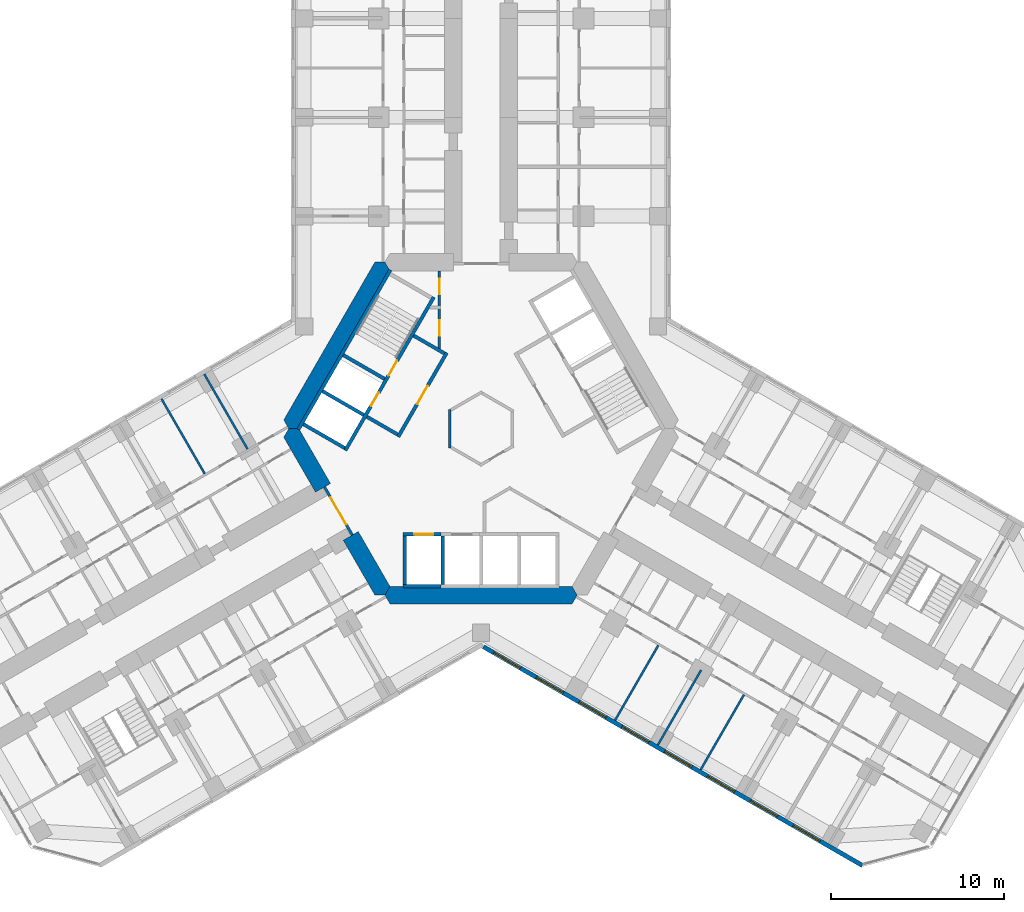
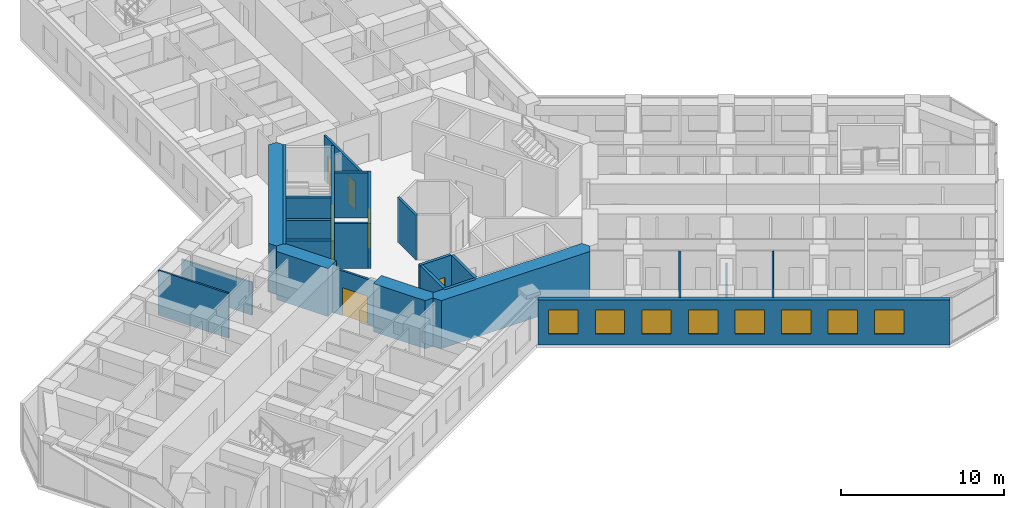
# One storey, part 13 of 21: 25 walls, 8 windows, 7 doors, 15 openings.
"""IFC4 building model written with IfcOpenShell, lengths in metres."""

from ifc_helpers import new_model, si_unit, direction, frame, frame_2d, origin, place, context, subcontext, project, spatial, polyline, rectangle, outline, extrude, material, layer, layer_set, type_object, element, fill, save


model = new_model("IFC4")

# Units and contexts
model_context = context("Model", 3, precision=1e-05, world=origin(), true_north=direction((0.0, 1.0)))
body_context = subcontext(model_context, "Body", "Model", "MODEL_VIEW")
ifc_project = project(units=[si_unit("LENGTHUNIT", "METRE"), si_unit("AREAUNIT", "SQUARE_METRE"), si_unit("VOLUMEUNIT", "CUBIC_METRE"), si_unit("PLANEANGLEUNIT", "RADIAN"), si_unit("MASSUNIT", "GRAM", prefix="KILO")], contexts=[model_context])

# Site, building, storey
site_placement = place(None, origin())
site = spatial("IfcSite", under=ifc_project, at=site_placement, CompositionType="ELEMENT")
building_placement = place(site_placement, origin())
building = spatial("IfcBuilding", under=site, at=building_placement, Name="Kosmar Iwan School Tower", CompositionType="ELEMENT")
storey_placement = place(building_placement, frame((0.0, 0.0, 64.60009765625)))
storey = spatial("IfcBuildingStorey", under=building, at=storey_placement, Name="L15", CompositionType="ELEMENT", Elevation=64.60009765625)

# Wall, openings, doors
ifc_material_1 = material(Name="Gypsum board on steel studs, fire-rated", Category="steel")
ifc_layer_1 = layer(ifc_material_1, 0.14990234375)
ifc_layer_set_1 = layer_set([ifc_layer_1], Name="Core room partition 150")
wall_type_1 = type_object("IfcWallType", Name="Core room partition 150", PredefinedType="PARTITIONING", material=ifc_layer_set_1)
wall_1_placement = place(storey_placement, frame((-2.39990234375, 9.094970703125, 0.0), z_axis=(0.0, 0.0, 1.0), x_axis=(0.0, -1.0, 0.0)))
wall_1 = element("IfcWall", 1, at=wall_1_placement, inside=storey, type_object=wall_type_1, Name="Core room partition L15-CW1", PredefinedType="PARTITIONING", context=body_context, shape_type="SweptSolid", body=[
    extrude(rectangle(XDim=4.564208984375, YDim=0.14990234375, at=frame_2d((2.2822265625, 0.0))), origin(), (0.0, 0.0, 1.0), 3.349853515625),
])
opening_1_placement = place(wall_1_placement, frame((0.455078125, 0.0, 0.0)))
opening_1 = element("IfcOpeningElement", 2, at=opening_1_placement, cuts=wall_1, Name="Opening D14", PredefinedType="OPENING", context=body_context, shape_type="SweptSolid", body=[
    extrude(rectangle(XDim=0.89990234375, YDim=2.10009765625, at=frame_2d((0.449951171875, 1.050048828125))), frame((0.0, 0.0869140625, 0.0), z_axis=(0.0, -1.0, 0.0), x_axis=(1.0, 0.0, 0.0)), (0.0, 0.0, 1.0), 0.173828125),
])
opening_2_placement = place(wall_1_placement, frame((2.85498046875, 0.0, 0.0)))
opening_2 = element("IfcOpeningElement", 3, at=opening_2_placement, cuts=wall_1, Name="Opening D14", PredefinedType="OPENING", context=body_context, shape_type="SweptSolid", body=[
    extrude(rectangle(XDim=0.89990234375, YDim=2.10009765625, at=frame_2d((0.449951171875, 1.050048828125))), frame((0.0, 0.0869140625, 0.0), z_axis=(0.0, -1.0, 0.0), x_axis=(1.0, 0.0, 0.0)), (0.0, 0.0, 1.0), 0.173828125),
])
ifc_material_2 = material(Name="Timber fire door in steel frame", Category="steel")
door_type_1 = type_object("IfcDoorType", Name="Core room door 900x2100", OperationType="SINGLE_SWING_LEFT", PredefinedType="DOOR", material=ifc_material_2)
door_1_placement = place(opening_1_placement, origin())
door_1 = element("IfcDoor", 4, at=door_1_placement, inside=storey, type_object=door_type_1, Name="Electrical riser and switch room door L15 1", OperationType="SINGLE_SWING_LEFT", OverallHeight=2.10009765625, OverallWidth=0.89990234375, PredefinedType="DOOR", context=body_context, shape_type="SweptSolid", body=[
    extrude(rectangle(XDim=0.89990234375, YDim=2.10009765625, at=frame_2d((0.449951171875, 1.050048828125))), frame((0.0, 0.02490234375, 0.0), z_axis=(0.0, -1.0, 0.0), x_axis=(1.0, 0.0, 0.0)), (0.0, 0.0, 1.0), 0.050048828125),
])
fill(opening_1, door_1)
door_2_placement = place(opening_2_placement, origin())
door_2 = element("IfcDoor", 5, at=door_2_placement, inside=storey, type_object=door_type_1, Name="Plumbing and wet riser door L15 2", OperationType="SINGLE_SWING_RIGHT", OverallHeight=2.10009765625, OverallWidth=0.89990234375, PredefinedType="DOOR", context=body_context, shape_type="SweptSolid", body=[
    extrude(rectangle(XDim=0.89990234375, YDim=2.10009765625, at=frame_2d((0.449951171875, 1.050048828125))), frame((0.0, 0.02490234375, 0.0), z_axis=(0.0, -1.0, 0.0), x_axis=(1.0, 0.0, 0.0)), (0.0, 0.0, 1.0), 0.050048828125),
])
fill(opening_2, door_2)

# Walls
wall_2_placement = place(storey_placement, frame((-1.800048828125, -1.1142578125, 0.0), z_axis=(0.0, 0.0, 1.0), x_axis=(0.0, 1.0, 0.0)))
element("IfcWall", 6, at=wall_2_placement, inside=storey, type_object=wall_type_1, Name="Core room partition L15-CW6", PredefinedType="PARTITIONING", context=body_context, shape_type="SweptSolid", body=[
    extrude(rectangle(XDim=2.228515625, YDim=0.14990234375, at=frame_2d((1.1142578125, 0.0))), origin(), (0.0, 0.0, 1.0), 3.349853515625),
])
ifc_material_3 = material(Name="Concrete C50/60", Category="concrete")
ifc_layer_2 = layer(ifc_material_3, 1.0)
ifc_layer_set_2 = layer_set([ifc_layer_2], Name="Core wall 1000")
wall_type_2 = type_object("IfcWallType", Name="Core wall 1000", PredefinedType="SHEAR", material=ifc_layer_set_2)
wall_3_placement = place(storey_placement, origin())
element("IfcWall", 7, at=wall_3_placement, inside=storey, type_object=wall_type_2, Name="Core wall F150", PredefinedType="SHEAR", context=body_context, shape_type="SweptSolid", body=[
    extrude(outline(polyline([(-11.085205078125, 0.0), (-10.5078125, 0.0), (-5.25390625, 9.10009765625), (-5.54248046875, 9.60009765625), (-6.119873046875, 9.60009765625), (-11.373779296875, 0.5), (-11.085205078125, 0.0)])), origin(), (0.0, 0.0, 1.0), 3.599853515625),
])
wall_4_placement = place(storey_placement, origin())
element("IfcWall", 8, at=wall_4_placement, inside=storey, type_object=wall_type_2, Name="Core wall F210a", PredefinedType="SHEAR", context=body_context, shape_type="SweptSolid", body=[
    extrude(outline(polyline([(-9.546875, -3.664306640625), (-8.680908203125, -3.164306640625), (-10.5078125, 0.0), (-11.085205078125, 0.0), (-11.373779296875, -0.5), (-9.546875, -3.664306640625)])), origin(), (0.0, 0.0, 1.0), 3.599853515625),
])
wall_5_placement = place(storey_placement, origin())
element("IfcWall", 9, at=wall_5_placement, inside=storey, type_object=wall_type_2, Name="Core wall F210b", PredefinedType="SHEAR", context=body_context, shape_type="SweptSolid", body=[
    extrude(outline(polyline([(-6.119873046875, -9.60009765625), (-5.54248046875, -9.60009765625), (-5.25390625, -9.10009765625), (-7.080810546875, -5.935546875), (-7.94677734375, -6.435546875), (-6.119873046875, -9.60009765625)])), origin(), (0.0, 0.0, 1.0), 3.599853515625),
])
wall_6_placement = place(storey_placement, origin())
element("IfcWall", 10, at=wall_6_placement, inside=storey, type_object=wall_type_2, Name="Core wall F270", PredefinedType="SHEAR", context=body_context, shape_type="SweptSolid", body=[
    extrude(outline(polyline([(-5.25390625, -10.10009765625), (5.25390625, -10.10009765625), (5.54248046875, -9.60009765625), (5.25390625, -9.10009765625), (-5.25390625, -9.10009765625), (-5.54248046875, -9.60009765625), (-5.25390625, -10.10009765625)])), origin(), (0.0, 0.0, 1.0), 3.599853515625),
])

# Wall, opening, door
ifc_material_4 = material(Name="Steel framed glazed screen", Category="steel")
ifc_layer_3 = layer(ifc_material_4, 0.14990234375)
ifc_layer_set_3 = layer_set([ifc_layer_3], Name="Corridor screen wall 150")
wall_type_3 = type_object("IfcWallType", Name="Corridor screen wall 150", PredefinedType="PARTITIONING", material=ifc_layer_set_3)
wall_7_placement = place(storey_placement, frame((-9.02734375, -3.3642578125, 0.0), z_axis=(0.0, 0.0, 1.0), x_axis=(0.499995408039, -0.866028054938, 0.0)))
wall_7 = element("IfcWall", 11, at=wall_7_placement, inside=storey, type_object=wall_type_3, Name="Corridor screen B L15", PredefinedType="PARTITIONING", context=body_context, shape_type="SweptSolid", body=[
    extrude(rectangle(XDim=3.2001953125, YDim=0.14990234375, at=frame_2d((1.60009765625, 0.0))), origin(), (0.0, 0.0, 1.0), 3.349853515625),
])
opening_3_placement = place(wall_7_placement, frame((0.699951171875, 0.0, 0.0)))
opening_3 = element("IfcOpeningElement", 12, at=opening_3_placement, cuts=wall_7, Name="Opening D9", PredefinedType="OPENING", context=body_context, shape_type="SweptSolid", body=[
    extrude(rectangle(XDim=1.800048828125, YDim=2.10009765625, at=frame_2d((0.89990234375, 1.050048828125))), frame((0.0, 0.0869140625, 0.0), z_axis=(0.0, -1.0, 0.0), x_axis=(1.0, 0.0, 0.0)), (0.0, 0.0, 1.0), 0.173828125),
])
ifc_material_5 = material(Name="Steel framed glazed smoke door", Category="steel")
door_type_2 = type_object("IfcDoorType", Name="Corridor smoke door pair 1800x2100", OperationType="DOUBLE_DOOR_DOUBLE_SWING", PredefinedType="DOOR", material=ifc_material_5)
door_3_placement = place(opening_3_placement, origin())
door_3 = element("IfcDoor", 13, at=door_3_placement, inside=storey, type_object=door_type_2, Name="Corridor doors B L15", OperationType="DOUBLE_DOOR_DOUBLE_SWING", OverallHeight=2.10009765625, OverallWidth=1.800048828125, PredefinedType="DOOR", context=body_context, shape_type="SweptSolid", body=[
    extrude(rectangle(XDim=1.800048828125, YDim=2.10009765625, at=frame_2d((0.89990234375, 1.050048828125))), frame((0.0, 0.02490234375, 0.0), z_axis=(0.0, -1.0, 0.0), x_axis=(1.0, 0.0, 0.0)), (0.0, 0.0, 1.0), 0.050048828125),
])
fill(opening_3, door_3)

# Walls
ifc_material_6 = material(Name="Gypsum board on steel studs", Category="steel")
ifc_layer_4 = layer(ifc_material_6, 0.1201171875)
ifc_layer_set_4 = layer_set([ifc_layer_4], Name="Dwelling partition 120")
wall_type_4 = type_object("IfcWallType", Name="Dwelling partition 120", PredefinedType="PARTITIONING", material=ifc_layer_set_4)
wall_8_placement = place(storey_placement, frame((-13.4638671875, -1.179931640625, 0.0), z_axis=(0.0, 0.0, 1.0), x_axis=(-0.499996339024, 0.86602751744, 0.0)))
element("IfcWall", 14, at=wall_8_placement, inside=storey, type_object=wall_type_4, Name="Partition L15-BR1-X1", PredefinedType="PARTITIONING", context=body_context, shape_type="SweptSolid", body=[
    extrude(rectangle(XDim=4.98974609375, YDim=0.1201171875, at=frame_2d((2.494873046875, 0.0))), origin(), (0.0, 0.0, 1.0), 2.449951171875),
])
wall_9_placement = place(storey_placement, frame((-15.931884765625, -2.60498046875, 0.0), z_axis=(0.0, 0.0, 1.0), x_axis=(-0.500011847778, 0.866018563358, 0.0)))
element("IfcWall", 15, at=wall_9_placement, inside=storey, type_object=wall_type_4, Name="Partition L15-BR1-X2", PredefinedType="PARTITIONING", context=body_context, shape_type="SweptSolid", body=[
    extrude(rectangle(XDim=4.990234375, YDim=0.1201171875, at=frame_2d((2.4951171875, 0.0))), origin(), (0.0, 0.0, 1.0), 3.349853515625),
])
wall_10_placement = place(storey_placement, frame((10.221923828125, -12.4951171875, 0.0), z_axis=(0.0, 0.0, 1.0), x_axis=(-0.499996339024, -0.86602751744, 0.0)))
element("IfcWall", 16, at=wall_10_placement, inside=storey, type_object=wall_type_4, Name="Partition L15-CR1-X1", PredefinedType="PARTITIONING", context=body_context, shape_type="SweptSolid", body=[
    extrude(rectangle(XDim=4.98974609375, YDim=0.1201171875, at=frame_2d((2.494873046875, 0.0))), origin(), (0.0, 0.0, 1.0), 3.349853515625),
])
wall_11_placement = place(storey_placement, frame((12.690185546875, -13.919921875, 0.0), z_axis=(0.0, 0.0, 1.0), x_axis=(-0.500011847778, -0.866018563358, 0.0)))
element("IfcWall", 17, at=wall_11_placement, inside=storey, type_object=wall_type_4, Name="Partition L15-CR1-X2", PredefinedType="PARTITIONING", context=body_context, shape_type="SweptSolid", body=[
    extrude(rectangle(XDim=4.990234375, YDim=0.1201171875, at=frame_2d((2.4951171875, 0.0))), origin(), (0.0, 0.0, 1.0), 2.449951171875),
])
wall_12_placement = place(storey_placement, frame((15.158447265625, -15.344970703125, 0.0), z_axis=(0.0, 0.0, 1.0), x_axis=(-0.500011847778, -0.866018563358, 0.0)))
element("IfcWall", 18, at=wall_12_placement, inside=storey, type_object=wall_type_4, Name="Partition L15-CR1-X3", PredefinedType="PARTITIONING", context=body_context, shape_type="SweptSolid", body=[
    extrude(rectangle(XDim=4.990234375, YDim=0.1201171875, at=frame_2d((2.4951171875, 0.0))), origin(), (0.0, 0.0, 1.0), 3.349853515625),
])

# Wall, openings, windows
ifc_material_7 = material(Name="Black aluminium rainscreen on insulated framing", Category="aluminium")
ifc_layer_5 = layer(ifc_material_7, 0.25)
ifc_layer_set_5 = layer_set([ifc_layer_5], Name="External wall rainscreen 250")
wall_type_5 = type_object("IfcWallType", Name="External wall rainscreen 250", PredefinedType="SOLIDWALL", material=ifc_layer_set_5)
wall_13_placement = place(storey_placement, frame((0.137939453125, -12.5791015625, 0.0), z_axis=(0.0, 0.0, 1.0), x_axis=(0.866023775649, -0.500002820003, 0.0)))
wall_13 = element("IfcWall", 19, at=wall_13_placement, inside=storey, type_object=wall_type_5, Name="External wall CR L15", PredefinedType="SOLIDWALL", context=body_context, shape_type="SweptSolid", body=[
    extrude(rectangle(XDim=25.226318359375, YDim=0.25, at=frame_2d((12.61328125, 0.0))), origin(), (0.0, 0.0, 1.0), 3.349853515625),
])
opening_4_placement = place(wall_13_placement, frame((0.666015625, 0.0, 0.800048828125)))
opening_4 = element("IfcOpeningElement", 20, at=opening_4_placement, cuts=wall_13, Name="Opening W1", PredefinedType="OPENING", context=body_context, shape_type="SweptSolid", body=[
    extrude(rectangle(XDim=1.800048828125, YDim=1.800048828125, at=frame_2d((0.89990234375, 0.89990234375))), frame((0.0, 0.136962890625, 0.0), z_axis=(0.0, -1.0, 0.0), x_axis=(1.0, 0.0, 0.0)), (0.0, 0.0, 1.0), 0.27392578125),
])
opening_5_placement = place(wall_13_placement, frame((3.51611328125, 0.0, 0.800048828125)))
opening_5 = element("IfcOpeningElement", 21, at=opening_5_placement, cuts=wall_13, Name="Opening W1", PredefinedType="OPENING", context=body_context, shape_type="SweptSolid", body=[
    extrude(rectangle(XDim=1.800048828125, YDim=1.800048828125, at=frame_2d((0.89990234375, 0.89990234375))), frame((0.0, 0.136962890625, 0.0), z_axis=(0.0, -1.0, 0.0), x_axis=(1.0, 0.0, 0.0)), (0.0, 0.0, 1.0), 0.27392578125),
])
opening_6_placement = place(wall_13_placement, frame((6.365966796875, 0.0, 0.800048828125)))
opening_6 = element("IfcOpeningElement", 22, at=opening_6_placement, cuts=wall_13, Name="Opening W1", PredefinedType="OPENING", context=body_context, shape_type="SweptSolid", body=[
    extrude(rectangle(XDim=1.800048828125, YDim=1.800048828125, at=frame_2d((0.89990234375, 0.89990234375))), frame((0.0, 0.136962890625, 0.0), z_axis=(0.0, -1.0, 0.0), x_axis=(1.0, 0.0, 0.0)), (0.0, 0.0, 1.0), 0.27392578125),
])
opening_7_placement = place(wall_13_placement, frame((9.216064453125, 0.0, 0.800048828125)))
opening_7 = element("IfcOpeningElement", 23, at=opening_7_placement, cuts=wall_13, Name="Opening W1", PredefinedType="OPENING", context=body_context, shape_type="SweptSolid", body=[
    extrude(rectangle(XDim=1.800048828125, YDim=1.800048828125, at=frame_2d((0.89990234375, 0.89990234375))), frame((0.0, 0.136962890625, 0.0), z_axis=(0.0, -1.0, 0.0), x_axis=(1.0, 0.0, 0.0)), (0.0, 0.0, 1.0), 0.27392578125),
])
opening_8_placement = place(wall_13_placement, frame((12.06591796875, 0.0, 0.800048828125)))
opening_8 = element("IfcOpeningElement", 24, at=opening_8_placement, cuts=wall_13, Name="Opening W1", PredefinedType="OPENING", context=body_context, shape_type="SweptSolid", body=[
    extrude(rectangle(XDim=1.800048828125, YDim=1.800048828125, at=frame_2d((0.89990234375, 0.89990234375))), frame((0.0, 0.136962890625, 0.0), z_axis=(0.0, -1.0, 0.0), x_axis=(1.0, 0.0, 0.0)), (0.0, 0.0, 1.0), 0.27392578125),
])
opening_9_placement = place(wall_13_placement, frame((14.916015625, 0.0, 0.800048828125)))
opening_9 = element("IfcOpeningElement", 25, at=opening_9_placement, cuts=wall_13, Name="Opening W1", PredefinedType="OPENING", context=body_context, shape_type="SweptSolid", body=[
    extrude(rectangle(XDim=1.800048828125, YDim=1.800048828125, at=frame_2d((0.89990234375, 0.89990234375))), frame((0.0, 0.136962890625, 0.0), z_axis=(0.0, -1.0, 0.0), x_axis=(1.0, 0.0, 0.0)), (0.0, 0.0, 1.0), 0.27392578125),
])
opening_10_placement = place(wall_13_placement, frame((17.76611328125, 0.0, 0.800048828125)))
opening_10 = element("IfcOpeningElement", 26, at=opening_10_placement, cuts=wall_13, Name="Opening W1", PredefinedType="OPENING", context=body_context, shape_type="SweptSolid", body=[
    extrude(rectangle(XDim=1.800048828125, YDim=1.800048828125, at=frame_2d((0.89990234375, 0.89990234375))), frame((0.0, 0.136962890625, 0.0), z_axis=(0.0, -1.0, 0.0), x_axis=(1.0, 0.0, 0.0)), (0.0, 0.0, 1.0), 0.27392578125),
])
opening_11_placement = place(wall_13_placement, frame((20.615966796875, 0.0, 0.800048828125)))
opening_11 = element("IfcOpeningElement", 27, at=opening_11_placement, cuts=wall_13, Name="Opening W1", PredefinedType="OPENING", context=body_context, shape_type="SweptSolid", body=[
    extrude(rectangle(XDim=1.800048828125, YDim=1.800048828125, at=frame_2d((0.89990234375, 0.89990234375))), frame((0.0, 0.136962890625, 0.0), z_axis=(0.0, -1.0, 0.0), x_axis=(1.0, 0.0, 0.0)), (0.0, 0.0, 1.0), 0.27392578125),
])
ifc_material_8 = material(Name="Black aluminium frame with dark triple glazing", Category="aluminium")
window_type = type_object("IfcWindowType", Name="Window 1800x1800", PartitioningType="SINGLE_PANEL", PredefinedType="WINDOW", material=ifc_material_8)
window_1_placement = place(opening_4_placement, origin())
window_1 = element("IfcWindow", 28, at=window_1_placement, inside=storey, type_object=window_type, Name="Window CR L15 -1", OverallHeight=1.800048828125, OverallWidth=1.800048828125, PartitioningType="SINGLE_PANEL", PredefinedType="WINDOW", context=body_context, shape_type="SweptSolid", body=[
    extrude(rectangle(XDim=1.800048828125, YDim=1.800048828125, at=frame_2d((0.89990234375, 0.89990234375))), frame((0.0, 0.030029296875, 0.0), z_axis=(0.0, -1.0, 0.0), x_axis=(1.0, 0.0, 0.0)), (0.0, 0.0, 1.0), 0.06005859375),
])
fill(opening_4, window_1)
window_2_placement = place(opening_5_placement, origin())
window_2 = element("IfcWindow", 29, at=window_2_placement, inside=storey, type_object=window_type, Name="Window CR L15 0", OverallHeight=1.800048828125, OverallWidth=1.800048828125, PartitioningType="SINGLE_PANEL", PredefinedType="WINDOW", context=body_context, shape_type="SweptSolid", body=[
    extrude(rectangle(XDim=1.800048828125, YDim=1.800048828125, at=frame_2d((0.89990234375, 0.89990234375))), frame((0.0, 0.030029296875, 0.0), z_axis=(0.0, -1.0, 0.0), x_axis=(1.0, 0.0, 0.0)), (0.0, 0.0, 1.0), 0.06005859375),
])
fill(opening_5, window_2)
window_3_placement = place(opening_6_placement, origin())
window_3 = element("IfcWindow", 30, at=window_3_placement, inside=storey, type_object=window_type, Name="Window CR L15 1", OverallHeight=1.800048828125, OverallWidth=1.800048828125, PartitioningType="SINGLE_PANEL", PredefinedType="WINDOW", context=body_context, shape_type="SweptSolid", body=[
    extrude(rectangle(XDim=1.800048828125, YDim=1.800048828125, at=frame_2d((0.89990234375, 0.89990234375))), frame((0.0, 0.030029296875, 0.0), z_axis=(0.0, -1.0, 0.0), x_axis=(1.0, 0.0, 0.0)), (0.0, 0.0, 1.0), 0.06005859375),
])
fill(opening_6, window_3)
window_4_placement = place(opening_7_placement, origin())
window_4 = element("IfcWindow", 31, at=window_4_placement, inside=storey, type_object=window_type, Name="Window CR L15 2", OverallHeight=1.800048828125, OverallWidth=1.800048828125, PartitioningType="SINGLE_PANEL", PredefinedType="WINDOW", context=body_context, shape_type="SweptSolid", body=[
    extrude(rectangle(XDim=1.800048828125, YDim=1.800048828125, at=frame_2d((0.89990234375, 0.89990234375))), frame((0.0, 0.030029296875, 0.0), z_axis=(0.0, -1.0, 0.0), x_axis=(1.0, 0.0, 0.0)), (0.0, 0.0, 1.0), 0.06005859375),
])
fill(opening_7, window_4)
window_5_placement = place(opening_8_placement, origin())
window_5 = element("IfcWindow", 32, at=window_5_placement, inside=storey, type_object=window_type, Name="Window CR L15 3", OverallHeight=1.800048828125, OverallWidth=1.800048828125, PartitioningType="SINGLE_PANEL", PredefinedType="WINDOW", context=body_context, shape_type="SweptSolid", body=[
    extrude(rectangle(XDim=1.800048828125, YDim=1.800048828125, at=frame_2d((0.89990234375, 0.89990234375))), frame((0.0, 0.030029296875, 0.0), z_axis=(0.0, -1.0, 0.0), x_axis=(1.0, 0.0, 0.0)), (0.0, 0.0, 1.0), 0.06005859375),
])
fill(opening_8, window_5)
window_6_placement = place(opening_9_placement, origin())
window_6 = element("IfcWindow", 33, at=window_6_placement, inside=storey, type_object=window_type, Name="Window CR L15 4", OverallHeight=1.800048828125, OverallWidth=1.800048828125, PartitioningType="SINGLE_PANEL", PredefinedType="WINDOW", context=body_context, shape_type="SweptSolid", body=[
    extrude(rectangle(XDim=1.800048828125, YDim=1.800048828125, at=frame_2d((0.89990234375, 0.89990234375))), frame((0.0, 0.030029296875, 0.0), z_axis=(0.0, -1.0, 0.0), x_axis=(1.0, 0.0, 0.0)), (0.0, 0.0, 1.0), 0.06005859375),
])
fill(opening_9, window_6)
window_7_placement = place(opening_10_placement, origin())
window_7 = element("IfcWindow", 34, at=window_7_placement, inside=storey, type_object=window_type, Name="Window CR L15 5", OverallHeight=1.800048828125, OverallWidth=1.800048828125, PartitioningType="SINGLE_PANEL", PredefinedType="WINDOW", context=body_context, shape_type="SweptSolid", body=[
    extrude(rectangle(XDim=1.800048828125, YDim=1.800048828125, at=frame_2d((0.89990234375, 0.89990234375))), frame((0.0, 0.030029296875, 0.0), z_axis=(0.0, -1.0, 0.0), x_axis=(1.0, 0.0, 0.0)), (0.0, 0.0, 1.0), 0.06005859375),
])
fill(opening_10, window_7)
window_8_placement = place(opening_11_placement, origin())
window_8 = element("IfcWindow", 35, at=window_8_placement, inside=storey, type_object=window_type, Name="Window CR L15 6", OverallHeight=1.800048828125, OverallWidth=1.800048828125, PartitioningType="SINGLE_PANEL", PredefinedType="WINDOW", context=body_context, shape_type="SweptSolid", body=[
    extrude(rectangle(XDim=1.800048828125, YDim=1.800048828125, at=frame_2d((0.89990234375, 0.89990234375))), frame((0.0, 0.030029296875, 0.0), z_axis=(0.0, -1.0, 0.0), x_axis=(1.0, 0.0, 0.0)), (0.0, 0.0, 1.0), 0.06005859375),
])
fill(opening_11, window_8)

# Wall, opening, door
ifc_material_9 = material(Name="Concrete block masonry", Category="masonry")
ifc_layer_6 = layer(ifc_material_9, 0.199951171875)
ifc_layer_set_6 = layer_set([ifc_layer_6], Name="Fire lobby wall 200")
wall_type_6 = type_object("IfcWallType", Name="Fire lobby wall 200", PredefinedType="PARTITIONING", material=ifc_layer_set_6)
wall_14_placement = place(storey_placement, frame((-1.9775390625, 4.374755859375, 0.0), z_axis=(0.0, 0.0, 1.0), x_axis=(-0.500016814911, -0.866015695474, 0.0)))
wall_14 = element("IfcWall", 36, at=wall_14_placement, inside=storey, type_object=wall_type_6, Name="Firefighting lobby wall ST2", PredefinedType="PARTITIONING", context=body_context, shape_type="SweptSolid", body=[
    extrude(rectangle(XDim=5.599853515625, YDim=0.199951171875, at=frame_2d((2.7998046875, 0.0))), origin(), (0.0, 0.0, 1.0), 3.349853515625),
])
opening_12_placement = place(wall_14_placement, frame((2.199951171875, 0.0, 0.0)))
opening_12 = element("IfcOpeningElement", 37, at=opening_12_placement, cuts=wall_14, Name="Opening D7", PredefinedType="OPENING", context=body_context, shape_type="SweptSolid", body=[
    extrude(rectangle(XDim=1.199951171875, YDim=2.10009765625, at=frame_2d((0.60009765625, 1.050048828125))), frame((0.0, 0.112060546875, 0.0), z_axis=(0.0, -1.0, 0.0), x_axis=(1.0, 0.0, 0.0)), (0.0, 0.0, 1.0), 0.223876953125),
])
ifc_material_10 = material(Name="Steel fire door", Category="steel")
door_type_3 = type_object("IfcDoorType", Name="Fire lobby door 1200x2100", OperationType="SINGLE_SWING_LEFT", PredefinedType="DOOR", material=ifc_material_10)
door_4_placement = place(opening_12_placement, origin())
door_4 = element("IfcDoor", 38, at=door_4_placement, inside=storey, type_object=door_type_3, Name="Firefighting lobby door ST2 L15", OperationType="SINGLE_SWING_RIGHT", OverallHeight=2.10009765625, OverallWidth=1.199951171875, PredefinedType="DOOR", context=body_context, shape_type="SweptSolid", body=[
    extrude(rectangle(XDim=1.199951171875, YDim=2.10009765625, at=frame_2d((0.60009765625, 1.050048828125))), frame((0.0, 0.02490234375, 0.0), z_axis=(0.0, -1.0, 0.0), x_axis=(1.0, 0.0, 0.0)), (0.0, 0.0, 1.0), 0.050048828125),
])
fill(opening_12, door_4)

# Walls
wall_15_placement = place(storey_placement, frame((-2.114013671875, 4.33837890625, 0.0), z_axis=(0.0, 0.0, 1.0), x_axis=(-0.866050731258, 0.499956128963, 0.0)))
element("IfcWall", 39, at=wall_15_placement, inside=storey, type_object=wall_type_6, Name="Firefighting lobby wall ST2", PredefinedType="PARTITIONING", context=body_context, shape_type="SweptSolid", body=[
    extrude(rectangle(XDim=2.050048828125, YDim=0.199951171875, at=frame_2d((1.02490234375, 0.0))), origin(), (0.0, 0.0, 1.0), 3.349853515625),
])
wall_16_placement = place(storey_placement, frame((-4.814208984375, -0.33837890625, 0.0), z_axis=(0.0, 0.0, 1.0), x_axis=(-0.865969381856, 0.500097020274, 0.0)))
element("IfcWall", 40, at=wall_16_placement, inside=storey, type_object=wall_type_6, Name="Firefighting lobby wall ST2", PredefinedType="PARTITIONING", context=body_context, shape_type="SweptSolid", body=[
    extrude(rectangle(XDim=2.0498046875, YDim=0.199951171875, at=frame_2d((1.02490234375, 0.0))), origin(), (0.0, 0.0, 1.0), 3.349853515625),
])

# Wall, openings, doors
ifc_material_11 = material(Name="Concrete C50/60", Category="concrete")
ifc_layer_7 = layer(ifc_material_11, 0.199951171875)
ifc_layer_set_7 = layer_set([ifc_layer_7], Name="Lift shaft wall 200")
wall_type_7 = type_object("IfcWallType", Name="Lift shaft wall 200", PredefinedType="SHEAR", material=ifc_layer_set_7)
wall_17_placement = place(storey_placement, frame((-2.72607421875, 7.578369140625, 0.0), z_axis=(0.0, 0.0, 1.0), x_axis=(-0.500005610874, -0.86602216432, 0.0)))
wall_17 = element("IfcWall", 41, at=wall_17_placement, inside=storey, type_object=wall_type_7, Name="Lift and stair front wall AB", PredefinedType="SHEAR", context=body_context, shape_type="SweptSolid", body=[
    extrude(rectangle(XDim=10.2001953125, YDim=0.199951171875, at=frame_2d((5.10009765625, 0.0))), origin(), (0.0, 0.0, 1.0), 3.599853515625),
])
opening_13_placement = place(wall_17_placement, frame((6.35009765625, 0.0, 0.0)))
opening_13 = element("IfcOpeningElement", 42, at=opening_13_placement, cuts=wall_17, Name="Opening LD2", PredefinedType="OPENING", context=body_context, shape_type="SweptSolid", body=[
    extrude(rectangle(XDim=0.89990234375, YDim=2.10009765625, at=frame_2d((0.449951171875, 1.050048828125))), frame((0.0, 0.112060546875, 0.0), z_axis=(0.0, -1.0, 0.0), x_axis=(1.0, 0.0, 0.0)), (0.0, 0.0, 1.0), 0.223876953125),
])
opening_14_placement = place(wall_17_placement, frame((4.22998046875, 0.0, 0.0)))
opening_14 = element("IfcOpeningElement", 43, at=opening_14_placement, cuts=wall_17, Name="Opening D6", PredefinedType="OPENING", context=body_context, shape_type="SweptSolid", body=[
    extrude(rectangle(XDim=1.0, YDim=2.10009765625, at=frame_2d((0.5, 1.050048828125))), frame((0.0, 0.112060546875, 0.0), z_axis=(0.0, -1.0, 0.0), x_axis=(1.0, 0.0, 0.0)), (0.0, 0.0, 1.0), 0.223876953125),
])
ifc_material_12 = material(Name="Stainless steel sliding lift door", Category="steel")
door_type_4 = type_object("IfcDoorType", Name="Firefighting lift landing door 900x2100", OperationType="SLIDING_TO_LEFT", PredefinedType="DOOR", material=ifc_material_12)
door_5_placement = place(opening_13_placement, origin())
door_5 = element("IfcDoor", 44, at=door_5_placement, inside=storey, type_object=door_type_4, Name="Lift FF2 landing door L15", OperationType="SLIDING_TO_LEFT", OverallHeight=2.10009765625, OverallWidth=0.89990234375, PredefinedType="DOOR", context=body_context, shape_type="SweptSolid", body=[
    extrude(rectangle(XDim=0.89990234375, YDim=2.10009765625, at=frame_2d((0.449951171875, 1.050048828125))), frame((0.0, 0.02490234375, 0.0), z_axis=(0.0, -1.0, 0.0), x_axis=(1.0, 0.0, 0.0)), (0.0, 0.0, 1.0), 0.050048828125),
])
fill(opening_13, door_5)
ifc_material_13 = material(Name="Steel fire door", Category="steel")
door_type_5 = type_object("IfcDoorType", Name="Stair door 1000x2100", OperationType="SINGLE_SWING_LEFT", PredefinedType="DOOR", material=ifc_material_13)
door_6_placement = place(opening_14_placement, origin())
door_6 = element("IfcDoor", 45, at=door_6_placement, inside=storey, type_object=door_type_5, Name="Stair ST2 door L15", OperationType="SINGLE_SWING_LEFT", OverallHeight=2.10009765625, OverallWidth=1.0, PredefinedType="DOOR", context=body_context, shape_type="SweptSolid", body=[
    extrude(rectangle(XDim=1.0, YDim=2.10009765625, at=frame_2d((0.5, 1.050048828125))), frame((0.0, 0.02490234375, 0.0), z_axis=(0.0, -1.0, 0.0), x_axis=(1.0, 0.0, 0.0)), (0.0, 0.0, 1.0), 0.050048828125),
])
fill(opening_14, door_6)

# Walls
wall_18_placement = place(storey_placement, frame((-5.22509765625, 9.14990234375, 0.0), z_axis=(0.0, 0.0, 1.0), x_axis=(-0.499994998079, -0.866028291626, 0.0)))
element("IfcWall", 46, at=wall_18_placement, inside=storey, type_object=wall_type_7, Name="Lift and stair back wall AB", PredefinedType="SHEAR", context=body_context, shape_type="SweptSolid", body=[
    extrude(rectangle(XDim=10.623046875, YDim=0.199951171875, at=frame_2d((5.3115234375, 0.0))), origin(), (0.0, 0.0, 1.0), 3.599853515625),
])
for number, where, z_axis, x_axis, name in (
    (47, (-6.7626953125, 0.78662109375, 0.0), (0.0, 0.0, 1.0), (-0.866027397988, 0.499996545922, 0.0), "Lift shaft wall AB 1"),
    (48, (-7.862548828125, -1.118408203125, 0.0), (0.0, 0.0, 1.0), (-0.866027397988, 0.499996545922, 0.0), "Lift shaft wall AB 2"),
):
    element("IfcWall", number, at=place(storey_placement, frame(where, z_axis=z_axis, x_axis=x_axis)), inside=storey, type_object=wall_type_7, Name=name, PredefinedType="SHEAR", context=body_context, shape_type="SweptSolid", body=[
        extrude(rectangle(XDim=2.75, YDim=0.199951171875, at=frame_2d((1.375, 0.0))), origin(), (0.0, 0.0, 1.0), 3.599853515625),
    ])

# Wall, opening, door
wall_19_placement = place(storey_placement, frame((-4.5, -6.10009765625, 0.0), z_axis=(0.0, 0.0, 1.0), x_axis=(1.0, 0.0, 0.0)))
wall_19 = element("IfcWall", 49, at=wall_19_placement, inside=storey, type_object=wall_type_7, Name="Lift and stair front wall BC", PredefinedType="SHEAR", context=body_context, shape_type="SweptSolid", body=[
    extrude(rectangle(XDim=2.199951171875, YDim=0.199951171875, at=frame_2d((1.10009765625, 0.0))), origin(), (0.0, 0.0, 1.0), 3.599853515625),
])
opening_15_placement = place(wall_19_placement, frame((0.64990234375, 0.0, 0.0)))
opening_15 = element("IfcOpeningElement", 50, at=opening_15_placement, cuts=wall_19, Name="Opening LD1", PredefinedType="OPENING", context=body_context, shape_type="SweptSolid", body=[
    extrude(rectangle(XDim=1.10009765625, YDim=2.10009765625, at=frame_2d((0.550048828125, 1.050048828125))), frame((0.0, 0.112060546875, 0.0), z_axis=(0.0, -1.0, 0.0), x_axis=(1.0, 0.0, 0.0)), (0.0, 0.0, 1.0), 0.223876953125),
])
ifc_material_14 = material(Name="Stainless steel sliding lift door", Category="steel")
door_type_6 = type_object("IfcDoorType", Name="Lift landing door 1100x2100", OperationType="SLIDING_TO_LEFT", PredefinedType="DOOR", material=ifc_material_14)
door_7_placement = place(opening_15_placement, origin())
door_7 = element("IfcDoor", 51, at=door_7_placement, inside=storey, type_object=door_type_6, Name="Lift PL1 landing door L15", OperationType="SLIDING_TO_LEFT", OverallHeight=2.10009765625, OverallWidth=1.10009765625, PredefinedType="DOOR", context=body_context, shape_type="SweptSolid", body=[
    extrude(rectangle(XDim=1.10009765625, YDim=2.10009765625, at=frame_2d((0.550048828125, 1.050048828125))), frame((0.0, 0.02490234375, 0.0), z_axis=(0.0, -1.0, 0.0), x_axis=(1.0, 0.0, 0.0)), (0.0, 0.0, 1.0), 0.050048828125),
])
fill(opening_15, door_7)

# Walls
wall_20_placement = place(storey_placement, frame((-4.5, -9.10009765625, 0.0), z_axis=(0.0, 0.0, 1.0), x_axis=(1.0, 0.0, 0.0)))
element("IfcWall", 52, at=wall_20_placement, inside=storey, type_object=wall_type_7, Name="Lift and stair back wall BC", PredefinedType="SHEAR", context=body_context, shape_type="SweptSolid", body=[
    extrude(rectangle(XDim=2.199951171875, YDim=0.199951171875, at=frame_2d((1.10009765625, 0.0))), origin(), (0.0, 0.0, 1.0), 3.599853515625),
])
for number, where, z_axis, x_axis, name in (
    (53, (-4.39990234375, -6.199951171875, 0.0), (0.0, 0.0, 1.0), (0.0, -1.0, 0.0), "Lift shaft wall BC 0"),
    (54, (-2.199951171875, -6.199951171875, 0.0), (0.0, 0.0, 1.0), (0.0, -1.0, 0.0), "Lift shaft wall BC 1"),
):
    element("IfcWall", number, at=place(storey_placement, frame(where, z_axis=z_axis, x_axis=x_axis)), inside=storey, type_object=wall_type_7, Name=name, PredefinedType="SHEAR", context=body_context, shape_type="SweptSolid", body=[
        extrude(rectangle(XDim=2.800048828125, YDim=0.199951171875, at=frame_2d((1.39990234375, 0.0))), origin(), (0.0, 0.0, 1.0), 3.599853515625),
    ])
ifc_material_15 = material(Name="Concrete C50/60", Category="concrete")
ifc_layer_8 = layer(ifc_material_15, 0.199951171875)
ifc_layer_set_8 = layer_set([ifc_layer_8], Name="Stair enclosure wall 200")
wall_type_8 = type_object("IfcWallType", Name="Stair enclosure wall 200", PredefinedType="SHEAR", material=ifc_layer_set_8)
wall_21_placement = place(storey_placement, frame((-5.562744140625, 2.865234375, 0.0), z_axis=(0.0, 0.0, 1.0), x_axis=(-0.866027397988, 0.499996545922, 0.0)))
element("IfcWall", 55, at=wall_21_placement, inside=storey, type_object=wall_type_8, Name="Stair ST2 wall", PredefinedType="SHEAR", context=body_context, shape_type="SweptSolid", body=[
    extrude(rectangle(XDim=2.75, YDim=0.199951171875, at=frame_2d((1.375, 0.0))), origin(), (0.0, 0.0, 1.0), 3.599853515625),
])

save(model, "model.ifc")
